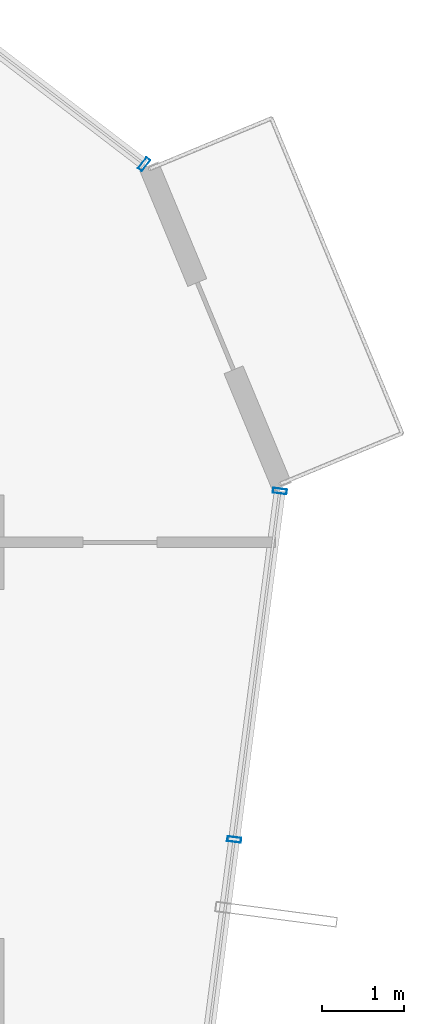
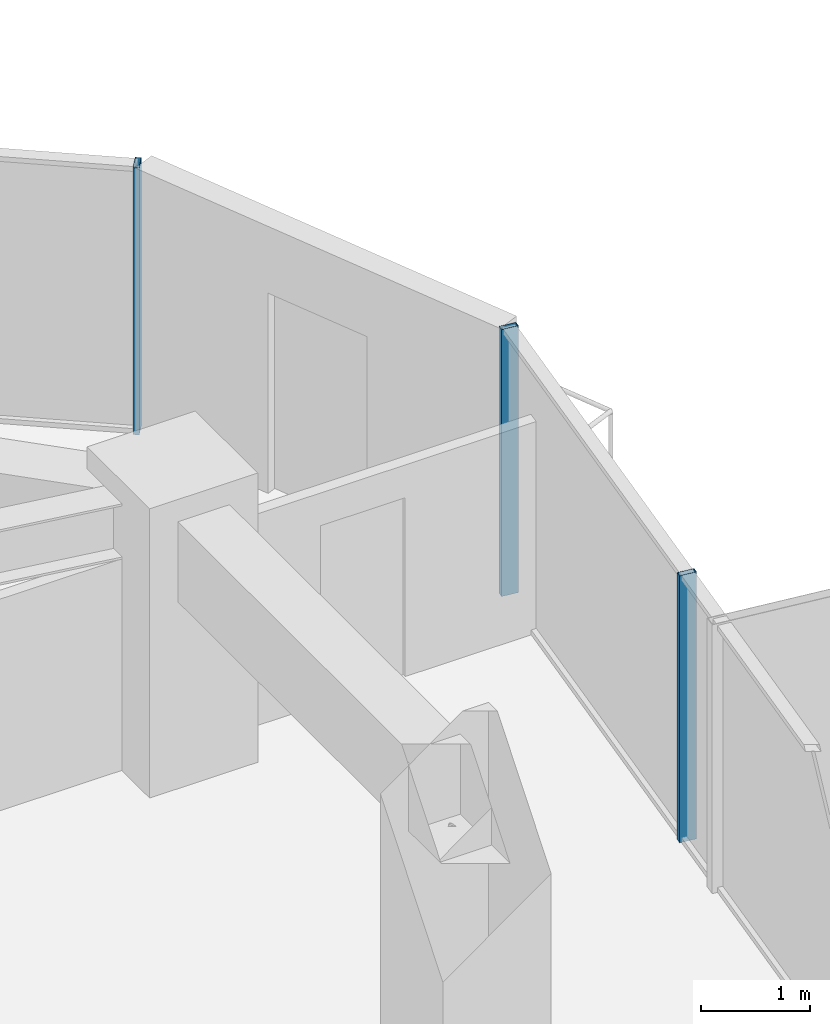
# One storey, part 16 of 30: 3 members, 2 elements without a shape of their own.
"""IFC4 building model written with IfcOpenShell, lengths in metres."""

from ifc_helpers import new_model, si_unit, direction, frame, origin, origin_2d, place, context, subcontext, project, spatial, hollow_rectangle, extrude, source, transform, mapped, material, layer, layer_set, material_profile, profile_set, type_object, element, aggregate, save


model = new_model("IFC4")

# Units and contexts
model_context = context("Model", 3, precision=1e-05, world=origin(), true_north=direction((0.0, 1.0)))
body_context = subcontext(model_context, "Body", "Model", "MODEL_VIEW")
ifc_project = project(units=[si_unit("LENGTHUNIT", "METRE"), si_unit("AREAUNIT", "SQUARE_METRE"), si_unit("VOLUMEUNIT", "CUBIC_METRE"), si_unit("PLANEANGLEUNIT", "RADIAN"), si_unit("MASSUNIT", "GRAM", prefix="KILO")], contexts=[model_context])

# Site, building, storey
site_placement = place(None, origin())
site = spatial("IfcSite", under=ifc_project, at=site_placement, CompositionType="ELEMENT")
building_placement = place(site_placement, origin())
building = spatial("IfcBuilding", under=site, at=building_placement, Name="Veraguas Prism Commons", CompositionType="ELEMENT")
storey_placement = place(building_placement, frame((0.0, 0.0, 102.449951171875)))
storey = spatial("IfcBuildingStorey", under=building, at=storey_placement, Name="L28", CompositionType="ELEMENT", Elevation=102.449951171875)

# Curtain wall, member
ifc_material = material(Name="Anodised aluminium EN AW-6063 T6", Category="aluminium")
ifc_layer = layer(ifc_material, 0.169921875, Name="Unitised Flush Curtain Wall Zone 2", Category="aluminium")
ifc_layer_set = layer_set([ifc_layer], Name="Anodised aluminium EN AW-6063 T6")
curtain_wall_type = type_object("IfcCurtainWallType", Name="Unitised Flush Curtain Wall Zone 2", PredefinedType="NOTDEFINED", material=ifc_layer_set)
curtain_wall_1_placement = place(storey_placement, origin())
curtain_wall_1 = element("IfcCurtainWall", 1, at=curtain_wall_1_placement, inside=storey, type_object=curtain_wall_type, Name="Tower Facade Curtain Wall L28-F1", PredefinedType="NOTDEFINED")
ifc_material_profile = material_profile(ifc_material, hollow_rectangle(XDim=0.06005859375, YDim=0.169921875, WallThickness=0.00390625, at=origin_2d()), Name="AL60X170X4")
ifc_profile_set = profile_set([ifc_material_profile], Name="Anodised aluminium EN AW-6063 T6")
member_type = type_object("IfcMemberType", Name="Curtain Wall Mullion Lower AL 60x170x4", PredefinedType="MULLION", material=ifc_profile_set)
shared_shape = source(origin(), body_context, "Body", "SweptSolid", [
    extrude(hollow_rectangle(XDim=0.06005859375, YDim=0.169921875, WallThickness=0.00390625, at=origin_2d()), origin(), (0.0, 0.0, 1.0), 3.0),
])
member_1_placement = place(storey_placement, frame((42.4833984375, 34.00390625, 0.0), z_axis=(0.0, 0.0, 1.0), x_axis=(-0.793778142573, 0.608207415585, 0.0)))
member_1 = element("IfcMember", 2, at=member_1_placement, type_object=member_type, Name="CW-Z2 Mullion 1", PredefinedType="MULLION", context=body_context, shape_type="MappedRepresentation", body=[
    mapped(shared_shape, transform((0.0, 0.0, 0.0), scale=1.0)),
])
aggregate(curtain_wall_1, [member_1])

# Curtain wall, members
curtain_wall_2_placement = place(storey_placement, origin())
curtain_wall_2 = element("IfcCurtainWall", 3, at=curtain_wall_2_placement, inside=storey, type_object=curtain_wall_type, Name="Tower Facade Curtain Wall L28-F6", PredefinedType="NOTDEFINED")
member_2_placement = place(storey_placement, frame((43.57958984375, 25.781494140625, 0.0), z_axis=(0.0, 0.0, 1.0), x_axis=(0.129834001381, 0.99153574423, 0.0)))
member_2 = element("IfcMember", 4, at=member_2_placement, type_object=member_type, Name="CW-Z2 Mullion 4", PredefinedType="MULLION", context=body_context, shape_type="MappedRepresentation", body=[
    mapped(shared_shape, transform((0.0, 0.0, 0.0), scale=1.0)),
])
member_3_placement = place(storey_placement, frame((44.135009765625, 30.02392578125, 0.0), z_axis=(0.0, 0.0, 1.0), x_axis=(0.129834001381, 0.99153574423, 0.0)))
member_3 = element("IfcMember", 5, at=member_3_placement, type_object=member_type, Name="CW-Z2 Mullion 5", PredefinedType="MULLION", context=body_context, shape_type="MappedRepresentation", body=[
    mapped(shared_shape, transform((0.0, 0.0, 0.0), scale=1.0)),
])
aggregate(curtain_wall_2, [member_2, member_3])

save(model, "model.ifc")
